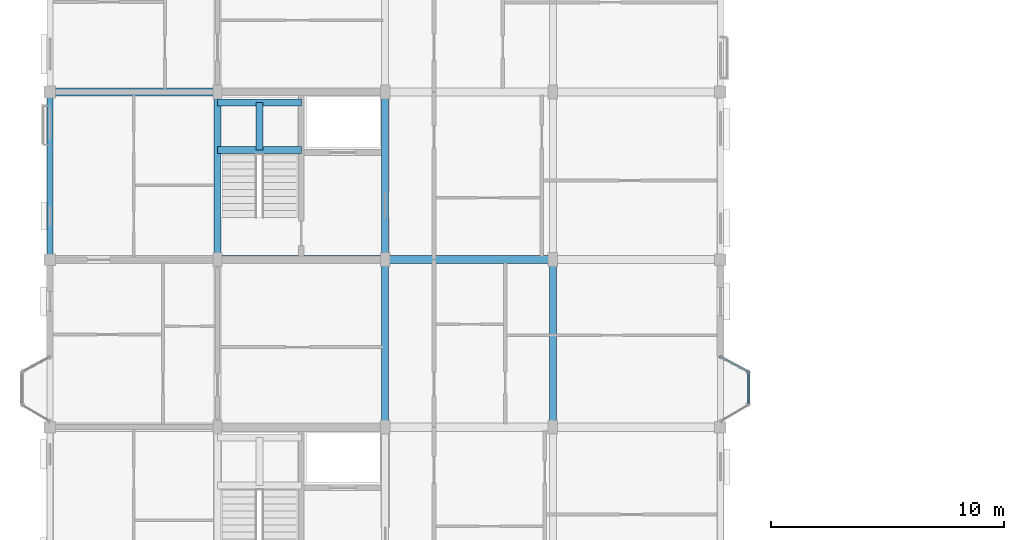
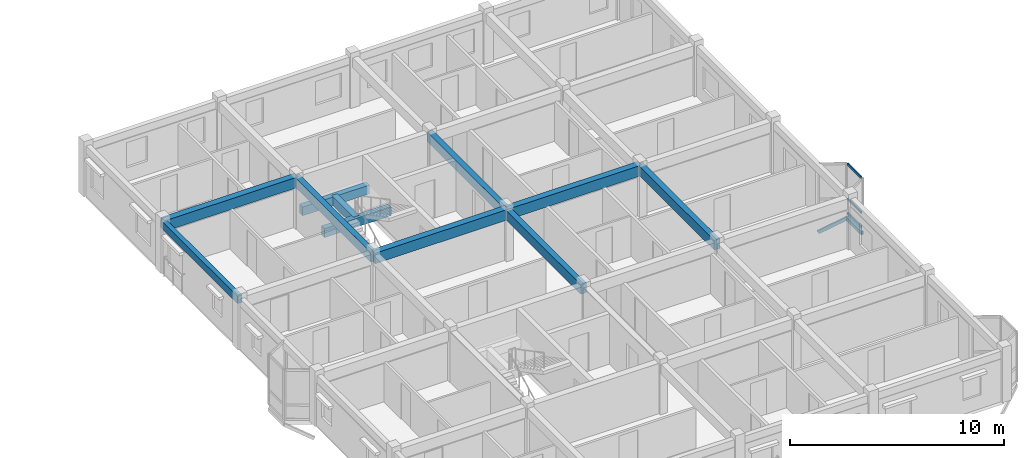
# One storey, part 11 of 64: 11 beams, 5 members, 1 element without a shape of its own.
"""IFC4 building model written with IfcOpenShell, lengths in metres."""

from ifc_helpers import new_model, si_unit, direction, frame, origin, origin_2d, place, context, subcontext, project, spatial, rectangle, hollow_rectangle, extrude, material, layer, layer_set, material_profile, profile_set, type_object, element, aggregate, save


model = new_model("IFC4")

# Units and contexts
model_context = context("Model", 3, precision=1e-05, world=origin(), true_north=direction((0.0, 1.0)))
body_context = subcontext(model_context, "Body", "Model", "MODEL_VIEW")
ifc_project = project(units=[si_unit("LENGTHUNIT", "METRE"), si_unit("AREAUNIT", "SQUARE_METRE"), si_unit("VOLUMEUNIT", "CUBIC_METRE"), si_unit("PLANEANGLEUNIT", "RADIAN"), si_unit("MASSUNIT", "GRAM", prefix="KILO"), si_unit("THERMODYNAMICTEMPERATUREUNIT", "KELVIN"), si_unit("POWERUNIT", "WATT")], contexts=[model_context])

# Site, building, storey
site_placement = place(None, origin())
site = spatial("IfcSite", under=ifc_project, at=site_placement, CompositionType="ELEMENT")
building_placement = place(site_placement, origin())
building = spatial("IfcBuilding", under=site, at=building_placement, Name="Tavuni Mirador Residences", CompositionType="ELEMENT")
storey_placement = place(building_placement, frame((0.0, 0.0, 26.550048828125)))
storey = spatial("IfcBuildingStorey", under=building, at=storey_placement, Name="L08", CompositionType="ELEMENT", Elevation=26.550048828125)

# Beams
ifc_material_1 = material(Name="Precast concrete C40/50", Category="concrete")
ifc_material_profile_1 = material_profile(ifc_material_1, rectangle(XDim=0.300048828125, YDim=0.5, at=origin_2d()), Name="PC 300x500", Category="concrete")
ifc_profile_set_1 = profile_set([ifc_material_profile_1], Name="Precast concrete C40/50")
beam_type_1 = type_object("IfcBeamType", Name="BT-B500", PredefinedType="BEAM", material=ifc_profile_set_1)
for number, where, z_axis, x_axis, name in (
    (1, (10.800048828125, 33.5, 1.14501953125), (1.0, 0.0, 0.0), (0.0, 1.0, 0.0), "HLB1-C2-L08"),
    (2, (10.800048828125, 35.550048828125, 1.14501953125), (1.0, 0.0, 0.0), (0.0, 1.0, 0.0), "HLB2-C2-L08"),
):
    element("IfcBeam", number, at=place(storey_placement, frame(where, z_axis=z_axis, x_axis=x_axis)), inside=storey, type_object=beam_type_1, Name=name, PredefinedType="BEAM", context=body_context, shape_type="SweptSolid", body=[
        extrude(rectangle(XDim=0.300048828125, YDim=0.5, at=origin_2d()), origin(), (0.0, 0.0, 1.0), 3.599853515625),
    ])
beam_1_placement = place(storey_placement, frame((12.60009765625, 33.5, 1.14501953125), z_axis=(0.0, 1.0, 0.0), x_axis=(-1.0, 0.0, 0.0)))
element("IfcBeam", 3, at=beam_1_placement, inside=storey, type_object=beam_type_1, Name="HLB3-C2-L08", PredefinedType="BEAM", context=body_context, shape_type="SweptSolid", body=[
    extrude(rectangle(XDim=0.300048828125, YDim=0.5, at=origin_2d()), origin(), (0.0, 0.0, 1.0), 2.050048828125),
])
ifc_material_profile_2 = material_profile(ifc_material_1, rectangle(XDim=0.300048828125, YDim=0.550048828125, at=origin_2d()), Name="PC 300x550", Category="concrete")
ifc_profile_set_2 = profile_set([ifc_material_profile_2], Name="Precast concrete C40/50")
beam_type_2 = type_object("IfcBeamType", Name="BT-B550", PredefinedType="BEAM", material=ifc_profile_set_2)
for number, where, z_axis, x_axis, name in (
    (4, (10.800048828125, 28.800048828125, 2.594970703125), (0.0, 1.0, 0.0), (-1.0, 0.0, 0.0), "BMY-BLK-A-L08-01-03"),
    (5, (18.0, 21.60009765625, 2.594970703125), (0.0, 1.0, 0.0), (-1.0, 0.0, 0.0), "BMY-BLK-A-L08-02-02"),
    (6, (18.0, 28.800048828125, 2.594970703125), (0.0, 1.0, 0.0), (-1.0, 0.0, 0.0), "BMY-BLK-A-L08-02-03"),
    (7, (25.199951171875, 21.60009765625, 2.594970703125), (0.0, 1.0, 0.0), (-1.0, 0.0, 0.0), "BMY-BLK-A-L08-03-02"),
):
    element("IfcBeam", number, at=place(storey_placement, frame(where, z_axis=z_axis, x_axis=x_axis)), inside=storey, type_object=beam_type_2, Name=name, PredefinedType="BEAM", context=body_context, shape_type="SweptSolid", body=[
        extrude(rectangle(XDim=0.300048828125, YDim=0.550048828125, at=origin_2d()), origin(), (0.0, 0.0, 1.0), 7.199951171875),
    ])
ifc_material_profile_3 = material_profile(ifc_material_1, rectangle(XDim=0.35009765625, YDim=0.60009765625, at=origin_2d()), Name="PC 350x600", Category="concrete")
ifc_profile_set_3 = profile_set([ifc_material_profile_3], Name="Precast concrete C40/50")
beam_type_3 = type_object("IfcBeamType", Name="BT-B600", PredefinedType="BEAM", material=ifc_profile_set_3)
for number, where, z_axis, x_axis, name in (
    (8, (10.800048828125, 28.800048828125, 2.570068359375), (1.0, 0.0, 0.0), (0.0, 1.0, 0.0), "BMX-BLK-A-L08-01-03"),
    (9, (18.0, 28.800048828125, 2.570068359375), (1.0, 0.0, 0.0), (0.0, 1.0, 0.0), "BMX-BLK-A-L08-02-03"),
    (10, (3.60009765625, 36.0, 2.570068359375), (1.0, 0.0, 0.0), (0.0, 1.0, 0.0), "BMX-BLK-A-L08-00-04"),
):
    element("IfcBeam", number, at=place(storey_placement, frame(where, z_axis=z_axis, x_axis=x_axis)), inside=storey, type_object=beam_type_3, Name=name, PredefinedType="BEAM", context=body_context, shape_type="SweptSolid", body=[
        extrude(rectangle(XDim=0.35009765625, YDim=0.60009765625, at=origin_2d()), origin(), (0.0, 0.0, 1.0), 7.199951171875),
    ])
ifc_material_profile_4 = material_profile(ifc_material_1, rectangle(XDim=0.25, YDim=0.419921875, at=origin_2d()), Name="PC 250x420", Category="concrete")
ifc_profile_set_4 = profile_set([ifc_material_profile_4], Name="Precast concrete C40/50")
beam_type_4 = type_object("IfcBeamType", Name="BT-SP420", PredefinedType="SPANDREL", material=ifc_profile_set_4)
beam_2_placement = place(storey_placement, frame((3.60009765625, 28.800048828125, 2.659912109375), z_axis=(0.0, 1.0, 0.0), x_axis=(-1.0, 0.0, 0.0)))
element("IfcBeam", 11, at=beam_2_placement, inside=storey, type_object=beam_type_4, Name="BMY-BLK-A-L08-00-03", PredefinedType="SPANDREL", context=body_context, shape_type="SweptSolid", body=[
    extrude(rectangle(XDim=0.25, YDim=0.419921875, at=origin_2d()), origin(), (0.0, 0.0, 1.0), 7.199951171875),
])

# Curtain wall, members
ifc_material_2 = material(Name="Anodised aluminium", Category="aluminium")
ifc_layer = layer(ifc_material_2, 0.14990234375, Name="Anodised aluminium", Category="aluminium")
ifc_layer_set = layer_set([ifc_layer], Name="Anodised aluminium")
curtain_wall_type = type_object("IfcCurtainWallType", Name="CWT-MIR-B", PredefinedType="NOTDEFINED", material=ifc_layer_set)
curtain_wall_placement = place(storey_placement, origin())
curtain_wall = element("IfcCurtainWall", 12, at=curtain_wall_placement, inside=storey, type_object=curtain_wall_type, Name="CW-MIR-A-E2-L08-MF", PredefinedType="NOTDEFINED")
ifc_material_profile_5 = material_profile(ifc_material_2, hollow_rectangle(XDim=0.06494140625, YDim=0.125, WallThickness=0.00439453125, at=origin_2d()), Name="ALU 65x125x4.5", Category="aluminium")
ifc_profile_set_5 = profile_set([ifc_material_profile_5], Name="Anodised aluminium")
member_type_1 = type_object("IfcMemberType", Name="CWT-125", PredefinedType="USERDEFINED", material=ifc_profile_set_5)
member_1_placement = place(storey_placement, frame((33.60009765625, 22.625, 0.032470703125), z_axis=(0.0, 1.0, 0.0), x_axis=(-1.0, 0.0, 0.0)))
member_1 = element("IfcMember", 13, at=member_1_placement, type_object=member_type_1, Name="CW-02 transom 1.1", ObjectType="TRANSOM", PredefinedType="USERDEFINED", context=body_context, shape_type="SweptSolid", body=[
    extrude(hollow_rectangle(XDim=0.06494140625, YDim=0.125, WallThickness=0.00439453125, at=origin_2d()), origin(), (0.0, 0.0, 1.0), 1.2900390625),
])
member_2_placement = place(storey_placement, frame((33.60009765625, 22.625, 0.849853515625), z_axis=(0.0, 1.0, 0.0), x_axis=(-1.0, 0.0, 0.0)))
member_2 = element("IfcMember", 14, at=member_2_placement, type_object=member_type_1, Name="CW-02 transom 1.2", ObjectType="TRANSOM", PredefinedType="USERDEFINED", context=body_context, shape_type="SweptSolid", body=[
    extrude(hollow_rectangle(XDim=0.06494140625, YDim=0.125, WallThickness=0.00439453125, at=origin_2d()), origin(), (0.0, 0.0, 1.0), 1.2900390625),
])
member_3_placement = place(storey_placement, frame((33.60009765625, 22.625, 2.83740234375), z_axis=(0.0, 1.0, 0.0), x_axis=(-1.0, 0.0, 0.0)))
member_3 = element("IfcMember", 15, at=member_3_placement, type_object=member_type_1, Name="CW-02 transom 1.3", ObjectType="TRANSOM", PredefinedType="USERDEFINED", context=body_context, shape_type="SweptSolid", body=[
    extrude(hollow_rectangle(XDim=0.06494140625, YDim=0.125, WallThickness=0.00439453125, at=origin_2d()), origin(), (0.0, 0.0, 1.0), 1.2900390625),
])
aggregate(curtain_wall, [member_1, member_2, member_3])

# Members
ifc_material_3 = material(Name="Structural steel S355", Category="steel")
ifc_material_profile_6 = material_profile(ifc_material_3, hollow_rectangle(XDim=0.10009765625, YDim=0.179931640625, WallThickness=0.008056640625, at=origin_2d()), Name="RHS 180x100x8.0", Category="steel")
ifc_profile_set_6 = profile_set([ifc_material_profile_6], Name="Structural steel S355")
member_type_2 = type_object("IfcMemberType", Name="MT-BR-RHS180", PredefinedType="BRACE", material=ifc_profile_set_6)
member_4_placement = place(storey_placement, frame((32.39990234375, 24.6201171875, -1.050048828125), z_axis=(0.767847080655, -0.409539268811, 0.492634192918), x_axis=(0.470606866739, 0.882343004153, 0.0)))
element("IfcMember", 16, at=member_4_placement, inside=storey, type_object=member_type_2, Name="MBRK-MIR-A-E2-L08-2", PredefinedType="BRACE", context=body_context, shape_type="SweptSolid", body=[
    extrude(hollow_rectangle(XDim=0.10009765625, YDim=0.179931640625, WallThickness=0.008056640625, at=origin_2d()), origin(), (0.0, 0.0, 1.0), 1.56298828125),
])
ifc_material_profile_7 = material_profile(ifc_material_3, hollow_rectangle(XDim=0.1201171875, YDim=0.199951171875, WallThickness=0.010009765625, at=origin_2d()), Name="RHS 200x120x10.0", Category="steel")
ifc_profile_set_7 = profile_set([ifc_material_profile_7], Name="Structural steel S355")
member_type_3 = type_object("IfcMemberType", Name="MT-ST-RHS200", PredefinedType="STRUT", material=ifc_profile_set_7)
member_5_placement = place(storey_placement, frame((33.60009765625, 22.56005859375, -0.280029296875), z_axis=(0.0, 1.0, 0.0), x_axis=(-1.0, 0.0, 0.0)))
element("IfcMember", 17, at=member_5_placement, inside=storey, type_object=member_type_3, Name="MRIM-MIR-A-E2-L08", PredefinedType="STRUT", context=body_context, shape_type="SweptSolid", body=[
    extrude(hollow_rectangle(XDim=0.1201171875, YDim=0.199951171875, WallThickness=0.010009765625, at=origin_2d()), origin(), (0.0, 0.0, 1.0), 1.419921875),
])

save(model, "model.ifc")
